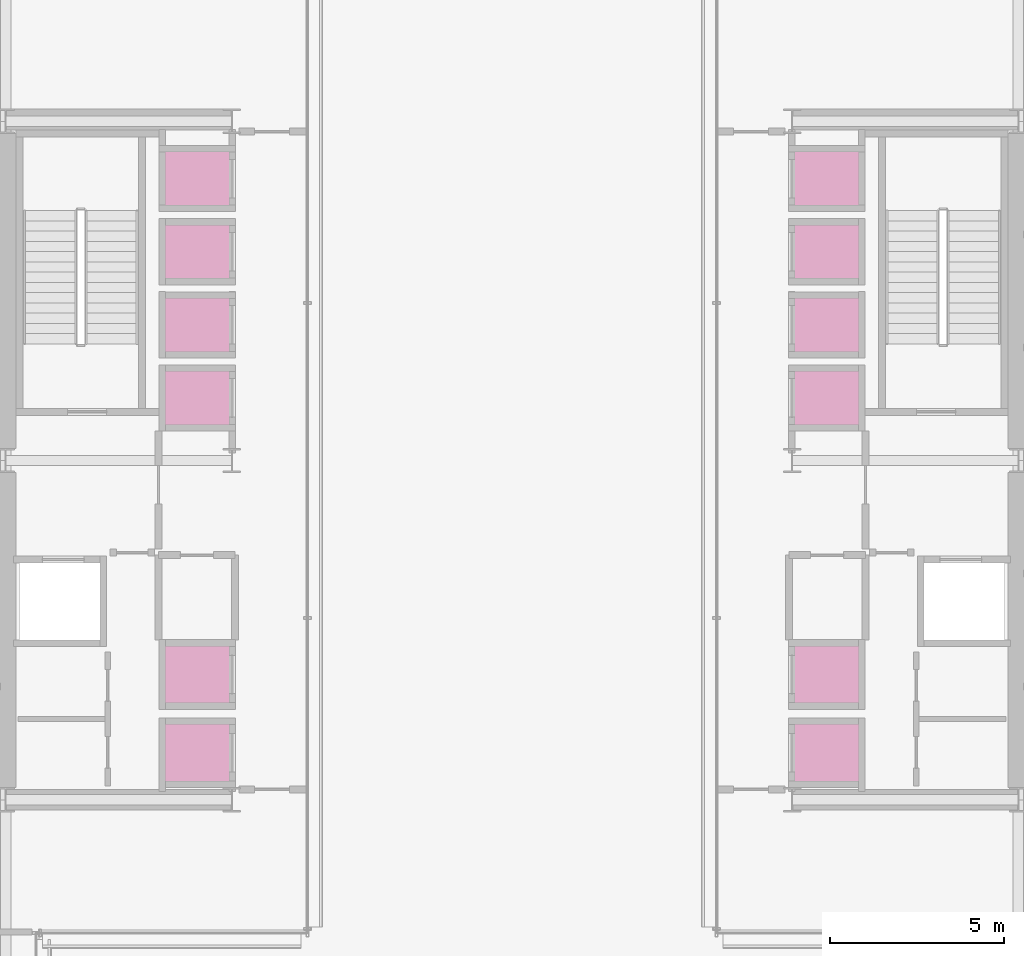
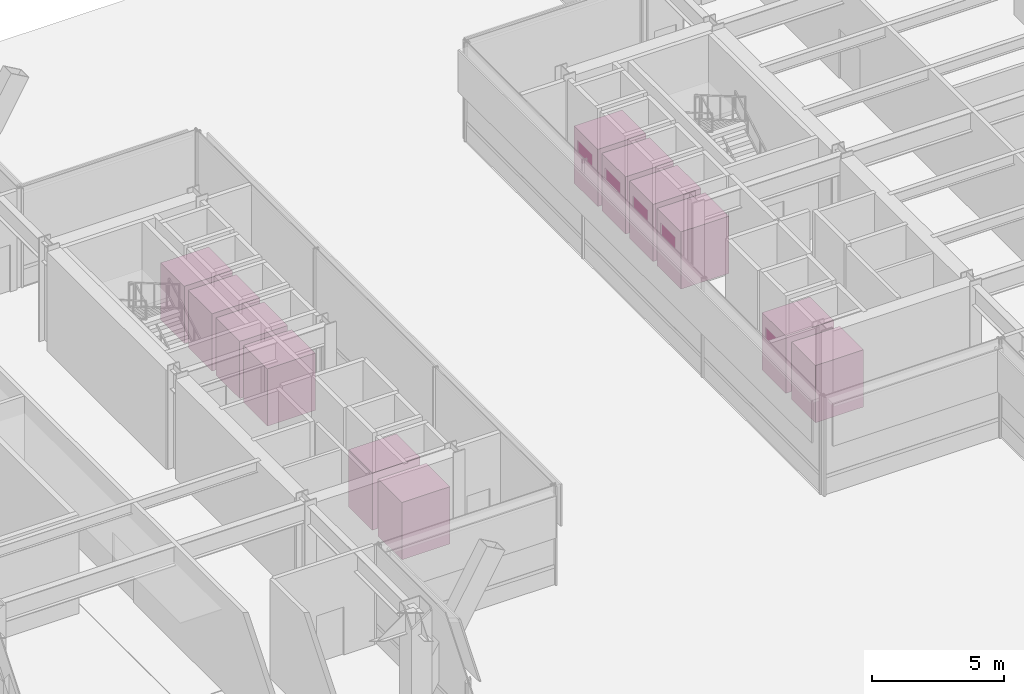
# One storey, part 37 of 37: 12 transport elements.
"""IFC4 building model written with IfcOpenShell, lengths in metres."""

from ifc_helpers import new_model, si_unit, direction, frame, origin, origin_2d, place, context, subcontext, project, spatial, rectangle, extrude, element, save


model = new_model("IFC4")

# Units and contexts
model_context = context("Model", 3, precision=1e-05, world=origin(), true_north=direction((0.0, 1.0)))
body_context = subcontext(model_context, "Body", "Model", "MODEL_VIEW")
ifc_project = project(units=[si_unit("LENGTHUNIT", "METRE"), si_unit("AREAUNIT", "SQUARE_METRE"), si_unit("VOLUMEUNIT", "CUBIC_METRE"), si_unit("PLANEANGLEUNIT", "RADIAN"), si_unit("MASSUNIT", "GRAM", prefix="KILO")], contexts=[model_context])

# Site, building, storey
site_placement = place(None, origin())
site = spatial("IfcSite", under=ifc_project, at=site_placement, CompositionType="ELEMENT")
building_placement = place(site_placement, origin())
building = spatial("IfcBuilding", under=site, at=building_placement, Name="Brelmoor Portico Tower", CompositionType="ELEMENT")
storey_placement = place(building_placement, origin())
storey = spatial("IfcBuildingStorey", under=building, at=storey_placement, Name="L00", CompositionType="ELEMENT", Elevation=0.0)

# Transport elements
for number, where, z_axis, x_axis, name in (
    (1, (-9.050048828125, 1.800048828125, 0.0), (0.0, 0.0, 1.0), (0.0, 1.0, 0.0), "Low-Rise Passenger Lift PL1"),
    (2, (-9.050048828125, 3.89990234375, 0.0), (0.0, 0.0, 1.0), (0.0, 1.0, 0.0), "Low-Rise Passenger Lift PL2"),
    (3, (-9.050048828125, 6.0, 0.0), (0.0, 0.0, 1.0), (0.0, 1.0, 0.0), "Low-Rise Passenger Lift PL3"),
    (4, (-9.050048828125, 8.10009765625, 0.0), (0.0, 0.0, 1.0), (0.0, 1.0, 0.0), "Low-Rise Passenger Lift PL4"),
    (5, (9.050048828125, 1.800048828125, 0.0), (0.0, 0.0, 1.0), (0.0, 1.0, 0.0), "Mid-Rise Passenger Lift PM1"),
    (6, (9.050048828125, 3.89990234375, 0.0), (0.0, 0.0, 1.0), (0.0, 1.0, 0.0), "Mid-Rise Passenger Lift PM2"),
    (7, (9.050048828125, 6.0, 0.0), (0.0, 0.0, 1.0), (0.0, 1.0, 0.0), "Mid-Rise Passenger Lift PM3"),
    (8, (9.050048828125, 8.10009765625, 0.0), (0.0, 0.0, 1.0), (0.0, 1.0, 0.0), "Mid-Rise Passenger Lift PM4"),
    (9, (-9.050048828125, -8.39990234375, 0.0), (0.0, 0.0, 1.0), (0.0, 1.0, 0.0), "High-Rise Passenger Lift PH1"),
    (10, (-9.050048828125, -6.14990234375, 0.0), (0.0, 0.0, 1.0), (0.0, 1.0, 0.0), "High-Rise Passenger Lift PH2"),
    (11, (9.050048828125, -8.39990234375, 0.0), (0.0, 0.0, 1.0), (0.0, 1.0, 0.0), "High-Rise Passenger Lift PH3"),
    (12, (9.050048828125, -6.14990234375, 0.0), (0.0, 0.0, 1.0), (0.0, 1.0, 0.0), "High-Rise Passenger Lift PH4"),
):
    element("IfcTransportElement", number, at=place(storey_placement, frame(where, z_axis=z_axis, x_axis=x_axis)), inside=storey, Name=name, PredefinedType="ELEVATOR", context=body_context, shape_type="SweptSolid", body=[
        extrude(rectangle(XDim=1.800048828125, YDim=2.10009765625, at=origin_2d()), origin(), (0.0, 0.0, 1.0), 2.64990234375),
    ])

save(model, "model.ifc")
